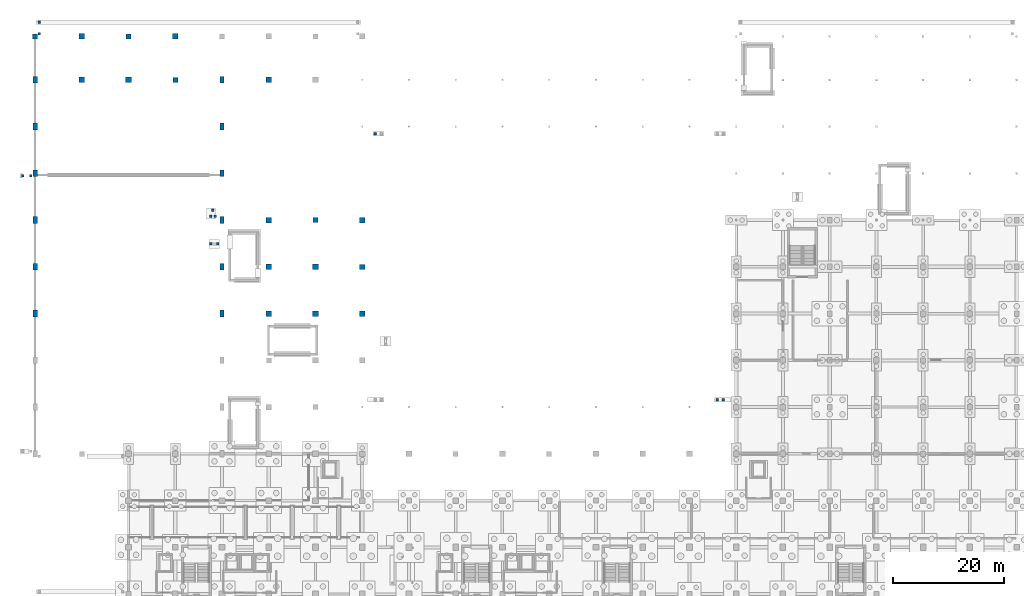
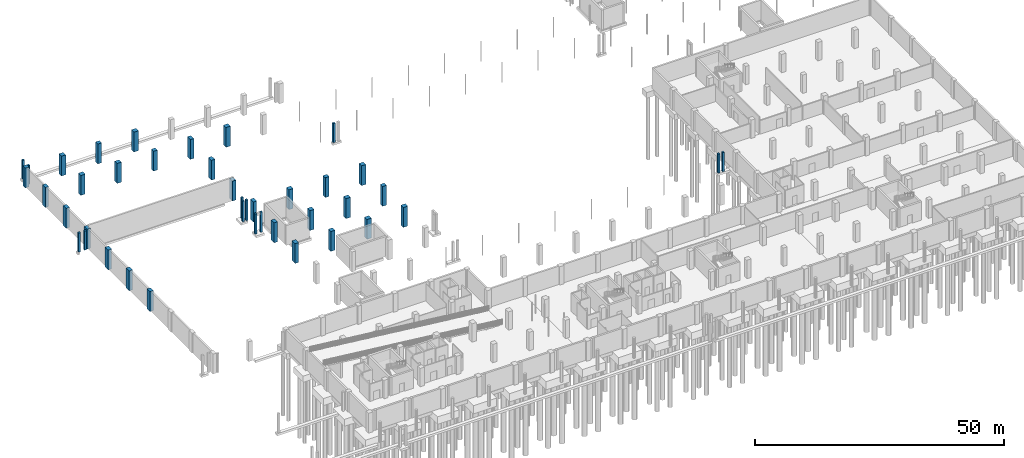
# One storey, part 18 of 39: 41 columns.
"""IFC4 building model written with IfcOpenShell, lengths in metres."""

from ifc_helpers import new_model, si_unit, derived_unit, direction, frame, origin, origin_2d, place, context, subcontext, project, spatial, rectangle, extrude, material, material_profile, profile_set, type_object, element, save


model = new_model("IFC4")

# Units and contexts
model_context = context("Model", 3, precision=1e-05, world=origin(), true_north=direction((0.0, 1.0)))
body_context = subcontext(model_context, "Body", "Model", "MODEL_VIEW")
ifc_project = project(units=[si_unit("LENGTHUNIT", "METRE"), si_unit("AREAUNIT", "SQUARE_METRE"), si_unit("VOLUMEUNIT", "CUBIC_METRE"), si_unit("PLANEANGLEUNIT", "RADIAN"), si_unit("MASSUNIT", "GRAM", prefix="KILO"), derived_unit("THERMALTRANSMITTANCEUNIT", [(si_unit("POWERUNIT", "WATT"), 1), (si_unit("LENGTHUNIT", "METRE"), -2), (si_unit("THERMODYNAMICTEMPERATUREUNIT", "KELVIN"), -1)])], contexts=[model_context])

# Site, building, storey
site_placement = place(None, origin())
site = spatial("IfcSite", under=ifc_project, at=site_placement, CompositionType="ELEMENT")
building_placement = place(site_placement, origin())
building = spatial("IfcBuilding", under=site, at=building_placement, Name="Barrovel Congress Hotel", CompositionType="ELEMENT")
storey_placement = place(building_placement, frame((0.0, 0.0, -4.5)))
storey = spatial("IfcBuildingStorey", under=building, at=storey_placement, Name="B01", CompositionType="ELEMENT", Elevation=-4.5)

# Columns
ifc_material_1 = material(Name="Concrete C50", Category="concrete")
ifc_material_profile_1 = material_profile(ifc_material_1, rectangle(XDim=1.0, YDim=1.0, at=origin_2d()), Name="RC1000x1000")
ifc_profile_set_1 = profile_set([ifc_material_profile_1], Name="Concrete C50")
column_type_1 = type_object("IfcColumnType", Name="COL-RC1000x1000", PredefinedType="COLUMN", material=ifc_profile_set_1)
for number, where, z_axis, x_axis, name in (
    (1, (8.39990234375, 105.0, -0.360107421875), (0.0, 0.0, 1.0), (1.0, 0.0, 0.0), "COL:B01:8.4:105.0"),
    (2, (8.39990234375, 112.800048828125, -0.360107421875), (0.0, 0.0, 1.0), (1.0, 0.0, 0.0), "COL:B01:8.4:112.8"),
    (3, (16.800048828125, 105.0, -0.360107421875), (0.0, 0.0, 1.0), (1.0, 0.0, 0.0), "COL:B01:16.8:105.0"),
    (4, (25.199951171875, 112.800048828125, -0.360107421875), (0.0, 0.0, 1.0), (1.0, 0.0, 0.0), "COL:B01:25.2:112.8"),
    (5, (42.0, 63.0, -0.360107421875), (0.0, 0.0, 1.0), (1.0, 0.0, 0.0), "COL:B01:42.0:63.0"),
    (6, (42.0, 71.39990234375, -0.360107421875), (0.0, 0.0, 1.0), (1.0, 0.0, 0.0), "COL:B01:42.0:71.4"),
    (7, (42.0, 79.800048828125, -0.360107421875), (0.0, 0.0, 1.0), (1.0, 0.0, 0.0), "COL:B01:42.0:79.8"),
    (8, (42.0, 105.0, -0.360107421875), (0.0, 0.0, 1.0), (1.0, 0.0, 0.0), "COL:B01:42.0:105.0"),
    (9, (50.39990234375, 63.0, -0.360107421875), (0.0, 0.0, 1.0), (1.0, 0.0, 0.0), "COL:B01:50.4:63.0"),
    (10, (50.39990234375, 71.39990234375, -0.360107421875), (0.0, 0.0, 1.0), (1.0, 0.0, 0.0), "COL:B01:50.4:71.4"),
    (11, (58.800048828125, 63.0, -0.360107421875), (0.0, 0.0, 1.0), (1.0, 0.0, 0.0), "COL:B01:58.8:63.0"),
    (12, (58.800048828125, 79.800048828125, -0.360107421875), (0.0, 0.0, 1.0), (1.0, 0.0, 0.0), "COL:B01:58.8:79.8"),
):
    element("IfcColumn", number, at=place(storey_placement, frame(where, z_axis=z_axis, x_axis=x_axis)), inside=storey, type_object=column_type_1, Name=name, PredefinedType="COLUMN", context=body_context, shape_type="SweptSolid", body=[
        extrude(rectangle(XDim=1.0, YDim=1.0, at=origin_2d()), origin(), (0.0, 0.0, 1.0), 4.860107421875),
    ])
ifc_material_2 = material(Name="Concrete C40", Category="concrete")
ifc_material_profile_2 = material_profile(ifc_material_2, rectangle(XDim=0.449951171875, YDim=0.449951171875, at=origin_2d()), Name="RC450x450")
ifc_profile_set_2 = profile_set([ifc_material_profile_2], Name="Concrete C40")
column_type_2 = type_object("IfcColumnType", Name="COL-RC450x450", PredefinedType="COLUMN", material=ifc_profile_set_2)
for number, where, z_axis, x_axis, name in (
    (13, (-0.800048828125, 87.75, -0.360107421875), (0.0, 0.0, 1.0), (1.0, 0.0, 0.0), "COL:PAV-WEST-NAVE:3"),
    (14, (-2.199951171875, 87.75, -0.360107421875), (0.0, 0.0, 1.0), (1.0, 0.0, 0.0), "COL:PAV-WEST-NAVE:4"),
    (15, (0.800048828125, 113.25, -0.360107421875), (0.0, 0.0, 1.0), (1.0, 0.0, 0.0), "COL:PAV-NORTH-DOCK:1"),
    (16, (0.800048828125, 115.35009765625, -0.360107421875), (0.0, 0.0, 1.0), (1.0, 0.0, 0.0), "COL:PAV-NORTH-DOCK:4"),
    (17, (61.14990234375, 95.35009765625, -0.360107421875), (0.0, 0.0, 1.0), (1.0, 0.0, 0.0), "COL:PAV-COURT-WALK-W:4"),
    (18, (122.60009765625, 47.550048828125, -0.360107421875), (0.0, 0.0, 1.0), (1.0, 0.0, 0.0), "COL:PAV-COURT-WALK-E:1"),
    (19, (123.64990234375, 47.550048828125, -0.360107421875), (0.0, 0.0, 1.0), (1.0, 0.0, 0.0), "COL:PAV-COURT-WALK-E:2"),
):
    element("IfcColumn", number, at=place(storey_placement, frame(where, z_axis=z_axis, x_axis=x_axis)), inside=storey, type_object=column_type_2, Name=name, PredefinedType="COLUMN", context=body_context, shape_type="SweptSolid", body=[
        extrude(rectangle(XDim=0.449951171875, YDim=0.449951171875, at=origin_2d()), origin(), (0.0, 0.0, 1.0), 4.68017578125),
    ])
for number, where, z_axis, x_axis, name in (
    (20, (32.85009765625, 75.5, -0.360107421875), (0.0, 0.0, 1.0), (1.0, 0.0, 0.0), "COL:RAMP:R-02:F1:1:A"),
    (21, (31.550048828125, 75.5, -0.360107421875), (0.0, 0.0, 1.0), (1.0, 0.0, 0.0), "COL:RAMP:R-02:F1:1:B"),
):
    element("IfcColumn", number, at=place(storey_placement, frame(where, z_axis=z_axis, x_axis=x_axis)), inside=storey, type_object=column_type_2, Name=name, PredefinedType="COLUMN", context=body_context, shape_type="SweptSolid", body=[
        extrude(rectangle(XDim=0.449951171875, YDim=0.449951171875, at=origin_2d()), origin(), (0.0, 0.0, 1.0), 4.940185546875),
    ])
for number, where, z_axis, x_axis, name in (
    (22, (31.550048828125, 80.449951171875, -0.360107421875), (0.0, 0.0, 1.0), (1.0, 0.0, 0.0), "COL:RAMP:R-02:LDG:1"),
    (23, (32.35009765625, 80.449951171875, -0.360107421875), (0.0, 0.0, 1.0), (1.0, 0.0, 0.0), "COL:RAMP:R-02:LDG:2"),
    (24, (31.949951171875, 81.550048828125, -0.360107421875), (0.0, 0.0, 1.0), (1.0, 0.0, 0.0), "COL:RAMP:R-02:LDG:3"),
):
    element("IfcColumn", number, at=place(storey_placement, frame(where, z_axis=z_axis, x_axis=x_axis)), inside=storey, type_object=column_type_2, Name=name, PredefinedType="COLUMN", context=body_context, shape_type="SweptSolid", body=[
        extrude(rectangle(XDim=0.449951171875, YDim=0.449951171875, at=origin_2d()), origin(), (0.0, 0.0, 1.0), 5.080078125),
    ])
ifc_material_profile_3 = material_profile(ifc_material_2, rectangle(XDim=0.800048828125, YDim=1.199951171875, at=origin_2d()), Name="RC800x1200")
ifc_profile_set_3 = profile_set([ifc_material_profile_3], Name="Concrete C40")
column_type_3 = type_object("IfcColumnType", Name="COL-RC800x1200", PredefinedType="COLUMN", material=ifc_profile_set_3)
for number, where, z_axis, x_axis, name in (
    (25, (0.0, 63.0, -0.360107421875), (0.0, 0.0, 1.0), (1.0, 0.0, 0.0), "COL:B01:0.0:63.0"),
    (26, (0.0, 71.39990234375, -0.360107421875), (0.0, 0.0, 1.0), (1.0, 0.0, 0.0), "COL:B01:0.0:71.4"),
    (27, (0.0, 79.800048828125, -0.360107421875), (0.0, 0.0, 1.0), (1.0, 0.0, 0.0), "COL:B01:0.0:79.8"),
    (28, (0.0, 88.199951171875, -0.360107421875), (0.0, 0.0, 1.0), (1.0, 0.0, 0.0), "COL:B01:0.0:88.2"),
    (29, (0.0, 96.60009765625, -0.360107421875), (0.0, 0.0, 1.0), (1.0, 0.0, 0.0), "COL:B01:0.0:96.6"),
    (30, (0.0, 105.0, -0.360107421875), (0.0, 0.0, 1.0), (1.0, 0.0, 0.0), "COL:B01:0.0:105.0"),
    (31, (33.60009765625, 63.0, -0.360107421875), (0.0, 0.0, 1.0), (1.0, 0.0, 0.0), "COL:B01:33.6:63.0"),
    (32, (33.60009765625, 71.39990234375, -0.360107421875), (0.0, 0.0, 1.0), (1.0, 0.0, 0.0), "COL:B01:33.6:71.4"),
    (33, (33.60009765625, 79.800048828125, -0.360107421875), (0.0, 0.0, 1.0), (1.0, 0.0, 0.0), "COL:B01:33.6:79.8"),
    (34, (33.60009765625, 88.199951171875, -0.360107421875), (0.0, 0.0, 1.0), (1.0, 0.0, 0.0), "COL:B01:33.6:88.2"),
    (35, (33.60009765625, 96.60009765625, -0.360107421875), (0.0, 0.0, 1.0), (1.0, 0.0, 0.0), "COL:B01:33.6:96.6"),
    (36, (33.60009765625, 105.0, -0.360107421875), (0.0, 0.0, 1.0), (1.0, 0.0, 0.0), "COL:B01:33.6:105.0"),
):
    element("IfcColumn", number, at=place(storey_placement, frame(where, z_axis=z_axis, x_axis=x_axis)), inside=storey, type_object=column_type_3, Name=name, PredefinedType="COLUMN", context=body_context, shape_type="SweptSolid", body=[
        extrude(rectangle(XDim=0.800048828125, YDim=1.199951171875, at=origin_2d()), origin(), (0.0, 0.0, 1.0), 4.860107421875),
    ])
ifc_material_profile_4 = material_profile(ifc_material_2, rectangle(XDim=0.89990234375, YDim=0.89990234375, at=origin_2d()), Name="RC900x900")
ifc_profile_set_4 = profile_set([ifc_material_profile_4], Name="Concrete C40")
column_type_4 = type_object("IfcColumnType", Name="COL-RC900x900", PredefinedType="COLUMN", material=ifc_profile_set_4)
for number, where, z_axis, x_axis, name in (
    (37, (0.0, 112.800048828125, -0.360107421875), (0.0, 0.0, 1.0), (1.0, 0.0, 0.0), "COL:B01:0.0:112.8"),
    (38, (16.800048828125, 112.800048828125, -0.360107421875), (0.0, 0.0, 1.0), (1.0, 0.0, 0.0), "COL:B01:16.8:112.8"),
    (39, (25.199951171875, 105.0, -0.360107421875), (0.0, 0.0, 1.0), (1.0, 0.0, 0.0), "COL:B01:25.2:105.0"),
    (40, (50.39990234375, 79.800048828125, -0.360107421875), (0.0, 0.0, 1.0), (1.0, 0.0, 0.0), "COL:B01:50.4:79.8"),
    (41, (58.800048828125, 71.39990234375, -0.360107421875), (0.0, 0.0, 1.0), (1.0, 0.0, 0.0), "COL:B01:58.8:71.4"),
):
    element("IfcColumn", number, at=place(storey_placement, frame(where, z_axis=z_axis, x_axis=x_axis)), inside=storey, type_object=column_type_4, Name=name, PredefinedType="COLUMN", context=body_context, shape_type="SweptSolid", body=[
        extrude(rectangle(XDim=0.89990234375, YDim=0.89990234375, at=origin_2d()), origin(), (0.0, 0.0, 1.0), 4.860107421875),
    ])

save(model, "model.ifc")
